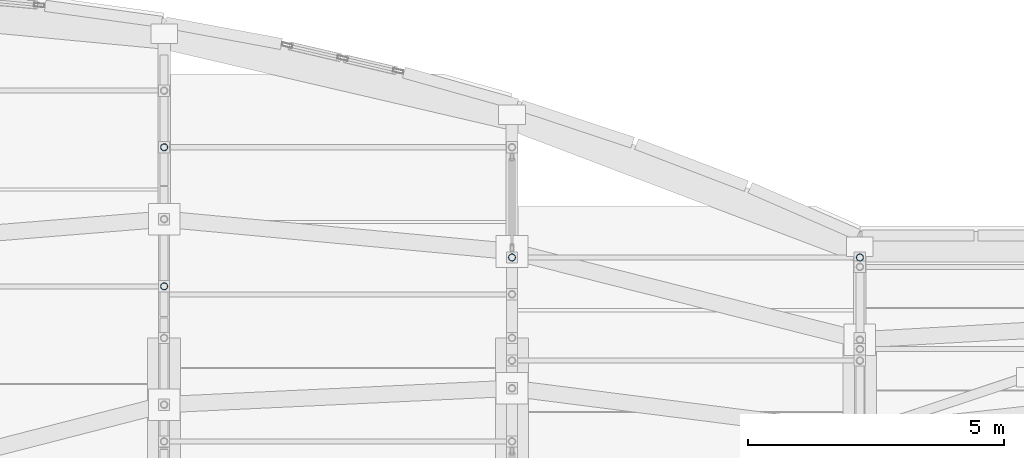
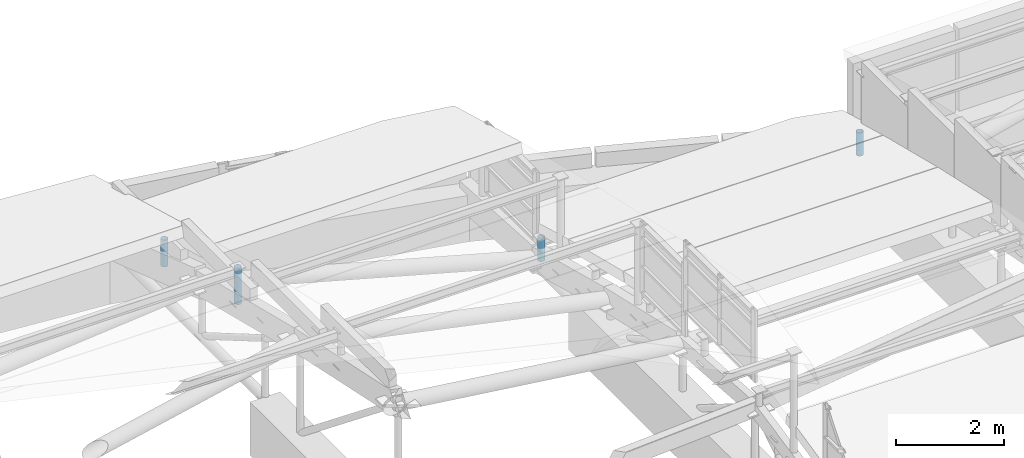
# One storey, part 151 of 188: 4 members.
"""IFC4 building model written with IfcOpenShell, lengths in metres."""

from ifc_helpers import new_model, si_unit, direction, frame, origin, origin_2d, place, context, subcontext, project, spatial, hollow_circle, extrude, material, material_profile, profile_set, type_object, element, save


model = new_model("IFC4")

# Units and contexts
model_context = context("Model", 3, precision=1e-05, world=origin(), true_north=direction((0.0, 1.0)))
body_context = subcontext(model_context, "Body", "Model", "MODEL_VIEW")
ifc_project = project(units=[si_unit("LENGTHUNIT", "METRE"), si_unit("AREAUNIT", "SQUARE_METRE"), si_unit("VOLUMEUNIT", "CUBIC_METRE"), si_unit("PLANEANGLEUNIT", "RADIAN"), si_unit("MASSUNIT", "GRAM", prefix="KILO")], contexts=[model_context])

# Site, building, storey
site_placement = place(None, origin())
site = spatial("IfcSite", under=ifc_project, at=site_placement, CompositionType="ELEMENT")
building_placement = place(site_placement, origin())
building = spatial("IfcBuilding", under=site, at=building_placement, Name="Kisaragi Civic Commons", CompositionType="ELEMENT")
storey_placement = place(building_placement, frame((0.0, 0.0, 9.60009765625)))
storey = spatial("IfcBuildingStorey", under=building, at=storey_placement, Name="L02", CompositionType="ELEMENT", Elevation=9.60009765625)

# Members
ifc_material = material(Name="Steel SN490 (SN490B)", Category="steel")
ifc_material_profile = material_profile(ifc_material, hollow_circle(Radius=0.06982421875, WallThickness=0.006103515625, at=origin_2d()), Name="CHS-139.8x6.0", Category="steel")
ifc_profile_set = profile_set([ifc_material_profile], Name="Steel SN490 (SN490B)")
member_type = type_object("IfcMemberType", Name="ST-H1", PredefinedType="STRUT", material=ifc_profile_set)
member_1_placement = place(storey_placement, frame((34.0, 112.608154296875, 1.465087890625), z_axis=(0.0, 0.0, 1.0), x_axis=(1.0, 0.0, 0.0)))
element("IfcMember", 1, at=member_1_placement, inside=storey, type_object=member_type, Name="V2 clerestory monitor horizontal tie strut 5.5.7", PredefinedType="STRUT", context=body_context, shape_type="SweptSolid", body=[
    extrude(hollow_circle(Radius=0.06982421875, WallThickness=0.006103515625, at=origin_2d()), origin(), (0.0, 0.0, 1.0), 0.821044921875),
])
member_2_placement = place(storey_placement, frame((34.0, 115.32666015625, 0.666015625), z_axis=(0.0, 0.0, 1.0), x_axis=(1.0, 0.0, 0.0)))
element("IfcMember", 2, at=member_2_placement, inside=storey, type_object=member_type, Name="V2 clerestory monitor horizontal tie strut 6.5.8", PredefinedType="STRUT", context=body_context, shape_type="SweptSolid", body=[
    extrude(hollow_circle(Radius=0.06982421875, WallThickness=0.006103515625, at=origin_2d()), origin(), (0.0, 0.0, 1.0), 0.607177734375),
])
member_3_placement = place(storey_placement, frame((40.800048828125, 113.172119140625, -0.287109375), z_axis=(0.0, 0.0, 1.0), x_axis=(1.0, 0.0, 0.0)))
element("IfcMember", 3, at=member_3_placement, inside=storey, type_object=member_type, Name="V2 clerestory monitor horizontal tie strut 7.6.8", PredefinedType="STRUT", context=body_context, shape_type="SweptSolid", body=[
    extrude(hollow_circle(Radius=0.06982421875, WallThickness=0.006103515625, at=origin_2d()), origin(), (0.0, 0.0, 1.0), 0.52587890625),
])
member_4_placement = place(storey_placement, frame((47.60009765625, 113.172119140625, -0.28662109375), z_axis=(0.0, 0.0, 1.0), x_axis=(1.0, 0.0, 0.0)))
element("IfcMember", 4, at=member_4_placement, inside=storey, type_object=member_type, Name="V2 clerestory monitor horizontal tie strut 7.7.8", PredefinedType="STRUT", context=body_context, shape_type="SweptSolid", body=[
    extrude(hollow_circle(Radius=0.06982421875, WallThickness=0.006103515625, at=origin_2d()), origin(), (0.0, 0.0, 1.0), 0.525390625),
])

save(model, "model.ifc")
